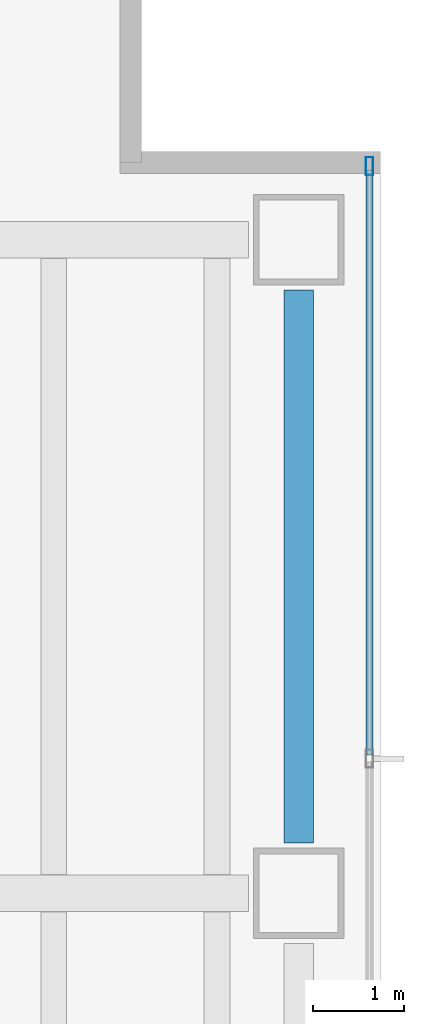
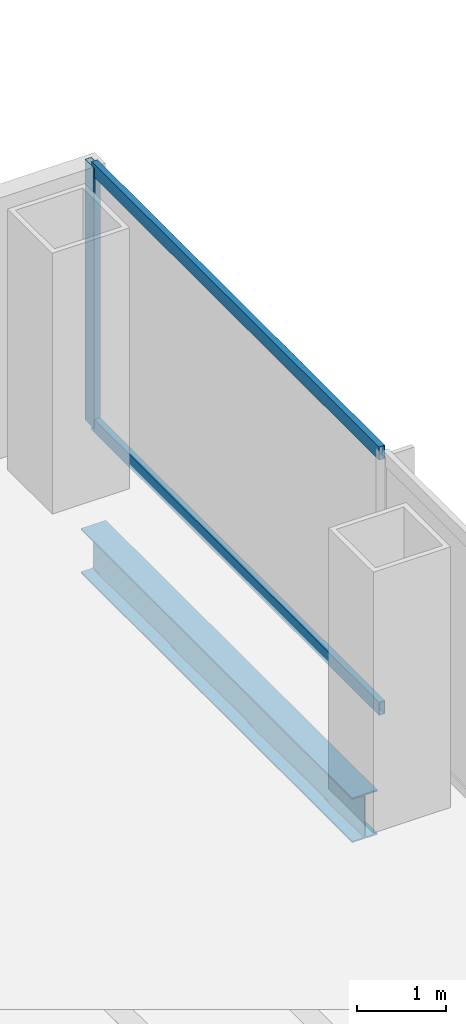
# One storey, part 13 of 25: 3 members, 1 beam, 1 element without a shape of its own.
"""IFC4 building model written with IfcOpenShell, lengths in metres."""

from ifc_helpers import new_model, si_unit, direction, frame, origin, origin_2d, place, context, subcontext, project, spatial, hollow_rectangle, i_section, extrude, material, material_profile, profile_set, type_object, element, aggregate, save


model = new_model("IFC4")

# Units and contexts
model_context = context("Model", 3, precision=1e-05, world=origin(), true_north=direction((0.0, 1.0)))
body_context = subcontext(model_context, "Body", "Model", "MODEL_VIEW")
ifc_project = project(units=[si_unit("LENGTHUNIT", "METRE"), si_unit("AREAUNIT", "SQUARE_METRE"), si_unit("VOLUMEUNIT", "CUBIC_METRE"), si_unit("PLANEANGLEUNIT", "RADIAN"), si_unit("MASSUNIT", "GRAM", prefix="KILO")], contexts=[model_context])

# Site, building, storey
site_placement = place(None, origin())
site = spatial("IfcSite", under=ifc_project, at=site_placement, CompositionType="ELEMENT")
building_placement = place(site_placement, origin())
building = spatial("IfcBuilding", under=site, at=building_placement, Name="Cobrela Telecom Tower", CompositionType="ELEMENT")
storey_placement = place(building_placement, frame((0.0, 0.0, 46.550048828125)))
storey = spatial("IfcBuildingStorey", under=building, at=storey_placement, Name="L11", CompositionType="ELEMENT", Elevation=46.550048828125)

# Beam
ifc_material_1 = material(Name="Steel ASTM A992 Grade 50", Category="steel")
ifc_material_profile_1 = material_profile(ifc_material_1, i_section(OverallWidth=0.324951171875, OverallDepth=0.612060546875, WebThickness=0.0126953125, FlangeThickness=0.01904296875, FilletRadius=0.014892578125, at=origin_2d()), Name="W24X104")
ifc_profile_set_1 = profile_set([ifc_material_profile_1], Name="Steel ASTM A992 Grade 50")
beam_type = type_object("IfcBeamType", Name="BM-SPAND-02", PredefinedType="SPANDREL", material=ifc_profile_set_1)
beam_placement = place(storey_placement, frame((49.5, 14.955078125, -0.5859375), z_axis=(0.0, 1.0, 0.0), x_axis=(-1.0, 0.0, 0.0)))
element("IfcBeam", 1, at=beam_placement, inside=storey, type_object=beam_type, Name="L11 Perimeter Spandrel Y57", PredefinedType="SPANDREL", context=body_context, shape_type="SweptSolid", body=[
    extrude(i_section(OverallWidth=0.324951171875, OverallDepth=0.612060546875, WebThickness=0.0126953125, FlangeThickness=0.01904296875, FilletRadius=0.014892578125, at=origin_2d()), origin(), (0.0, 0.0, 1.0), 6.08984375),
])

# Curtain wall, members
ifc_material_2 = material(Name="Anodized Bronze Aluminium 6063-T6", Category="aluminium")
curtain_wall_type = type_object("IfcCurtainWallType", Name="CW-SYS-DATA", PredefinedType="USERDEFINED", material=ifc_material_2)
curtain_wall_placement = place(storey_placement, origin())
curtain_wall = element("IfcCurtainWall", 2, at=curtain_wall_placement, inside=storey, type_object=curtain_wall_type, Name="L11 Unitised Bronze Curtain Wall 14", ObjectType="UNITISED CURTAIN WALL", PredefinedType="USERDEFINED")
ifc_material_profile_2 = material_profile(ifc_material_2, hollow_rectangle(XDim=0.080078125, YDim=0.199951171875, WallThickness=0.00390625, at=origin_2d()), Name="ALU 80x200x4")
ifc_profile_set_2 = profile_set([ifc_material_profile_2], Name="Anodized Bronze Aluminium 6063-T6")
member_type_1 = type_object("IfcMemberType", Name="CW-SYS-DATA-MUL", PredefinedType="MULLION", material=ifc_profile_set_2)
member_1_placement = place(storey_placement, frame((50.280029296875, 22.409912109375, 0.0), z_axis=(0.0, 0.0, 1.0), x_axis=(1.0, 0.0, 0.0)))
member_1 = element("IfcMember", 3, at=member_1_placement, type_object=member_type_1, Name="CW-DATA mullion 1", PredefinedType="MULLION", context=body_context, shape_type="SweptSolid", body=[
    extrude(hollow_rectangle(XDim=0.080078125, YDim=0.199951171875, WallThickness=0.00390625, at=origin_2d()), origin(), (0.0, 0.0, 1.0), 3.570068359375),
])
ifc_material_profile_3 = material_profile(ifc_material_2, hollow_rectangle(XDim=0.074951171875, YDim=0.179931640625, WallThickness=0.00390625, at=origin_2d()), Name="ALU 75x180x4")
ifc_profile_set_3 = profile_set([ifc_material_profile_3], Name="Anodized Bronze Aluminium 6063-T6")
member_type_2 = type_object("IfcMemberType", Name="CW-SYS-DATA-TRN", PredefinedType="USERDEFINED", material=ifc_profile_set_3)
member_2_placement = place(storey_placement, frame((50.280029296875, 22.3701171875, 0.037353515625), z_axis=(0.0, -1.0, 0.0), x_axis=(1.0, 0.0, 0.0)))
member_2 = element("IfcMember", 4, at=member_2_placement, type_object=member_type_2, Name="CW-DATA transom 1.1", ObjectType="TRANSOM", PredefinedType="USERDEFINED", context=body_context, shape_type="SweptSolid", body=[
    extrude(hollow_rectangle(XDim=0.074951171875, YDim=0.179931640625, WallThickness=0.00390625, at=origin_2d()), origin(), (0.0, 0.0, 1.0), 6.44677734375),
])
member_3_placement = place(storey_placement, frame((50.280029296875, 22.3701171875, 3.532470703125), z_axis=(0.0, -1.0, 0.0), x_axis=(1.0, 0.0, 0.0)))
member_3 = element("IfcMember", 5, at=member_3_placement, type_object=member_type_2, Name="CW-DATA transom 1.2", ObjectType="TRANSOM", PredefinedType="USERDEFINED", context=body_context, shape_type="SweptSolid", body=[
    extrude(hollow_rectangle(XDim=0.074951171875, YDim=0.179931640625, WallThickness=0.00390625, at=origin_2d()), origin(), (0.0, 0.0, 1.0), 6.44677734375),
])
aggregate(curtain_wall, [member_1, member_2, member_3])

save(model, "model.ifc")
